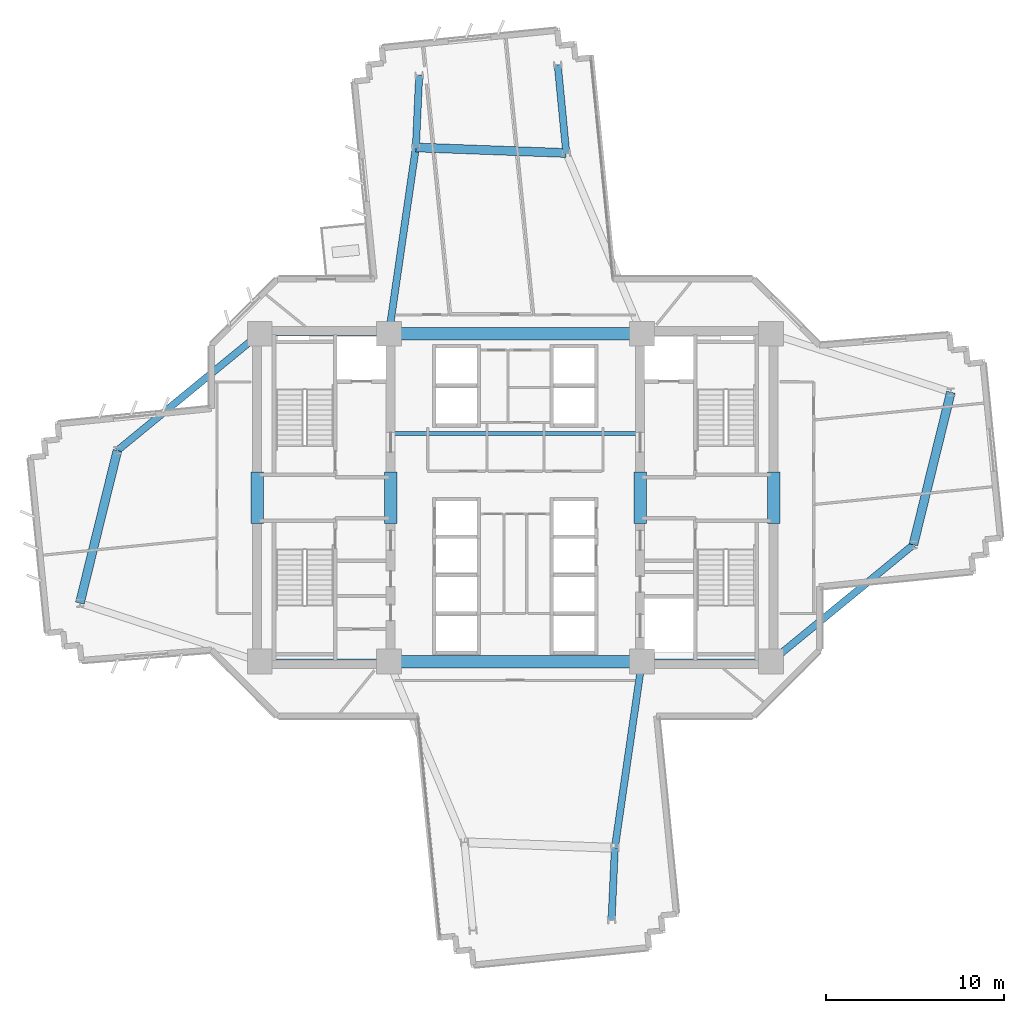
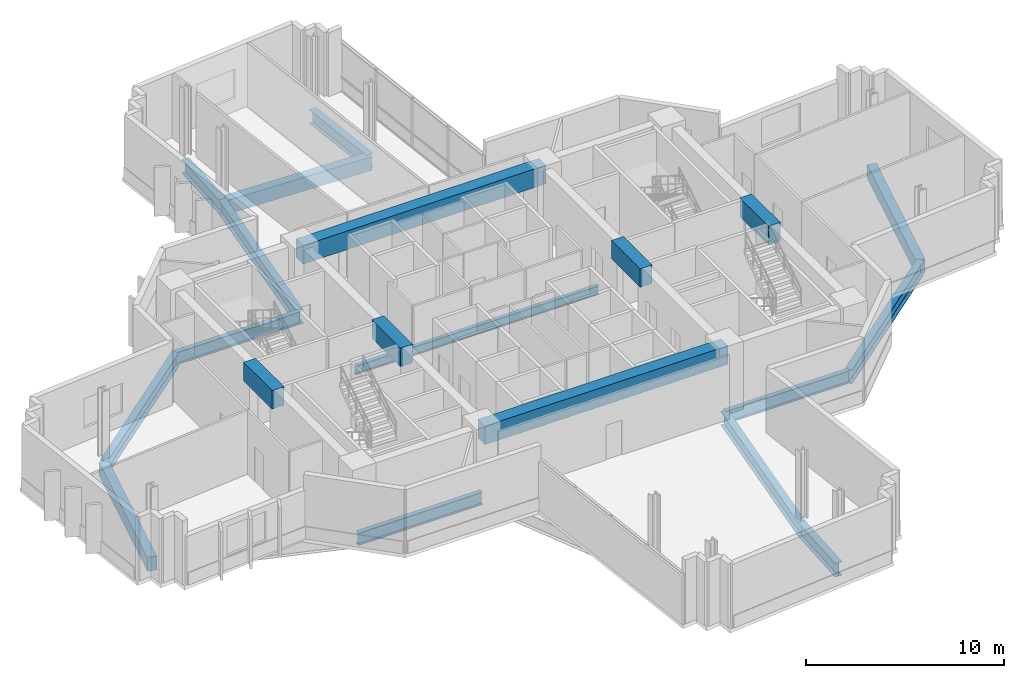
# One storey, part 3 of 14: 20 beams.
"""IFC4 building model written with IfcOpenShell, lengths in metres."""

from ifc_helpers import new_model, si_unit, direction, frame, origin, origin_2d, place, context, subcontext, project, spatial, rectangle, i_section, extrude, source, transform, mapped, material, material_profile, profile_set, type_object, element, save


model = new_model("IFC4")

# Units and contexts
model_context = context("Model", 3, precision=1e-05, world=origin(), true_north=direction((0.0, 1.0)))
body_context = subcontext(model_context, "Body", "Model", "MODEL_VIEW")
ifc_project = project(units=[si_unit("LENGTHUNIT", "METRE"), si_unit("AREAUNIT", "SQUARE_METRE"), si_unit("VOLUMEUNIT", "CUBIC_METRE"), si_unit("PLANEANGLEUNIT", "RADIAN"), si_unit("MASSUNIT", "GRAM", prefix="KILO")], contexts=[model_context])

# Site, building, storey
site_placement = place(None, origin())
site = spatial("IfcSite", under=ifc_project, at=site_placement, CompositionType="ELEMENT")
building_placement = place(site_placement, origin())
building = spatial("IfcBuilding", under=site, at=building_placement, Name="Zahravan Cultural Tower", CompositionType="ELEMENT")
storey_placement = place(building_placement, frame((0.0, 0.0, 100.5)))
storey = spatial("IfcBuildingStorey", under=building, at=storey_placement, Name="L22", CompositionType="ELEMENT", Elevation=100.5)

# Beams
ifc_material_1 = material(Name="Concrete C50/60", Category="concrete")
ifc_material_profile_1 = material_profile(ifc_material_1, rectangle(XDim=0.699951171875, YDim=1.14990234375, at=origin_2d()), Name="RC700X1150")
ifc_profile_set_1 = profile_set([ifc_material_profile_1], Name="Concrete C50/60")
beam_type_1 = type_object("IfcBeamType", Name="BM-LN-RC700X1150", PredefinedType="LINTEL", material=ifc_profile_set_1)
shared_shape_1 = source(origin(), body_context, "Body", "SweptSolid", [
    extrude(rectangle(XDim=0.699951171875, YDim=1.14990234375, at=origin_2d()), origin(), (0.0, 0.0, 1.0), 14.2001953125),
])
for number, where, z_axis, x_axis, name in (
    (1, (28.89990234375, 17.800048828125, 3.375), (1.0, 0.0, 0.0), (0.0, 1.0, 0.0), "L22 Beam LN-L22-S"),
    (2, (28.89990234375, 36.199951171875, 3.375), (1.0, 0.0, 0.0), (0.0, 1.0, 0.0), "L22 Beam LN-L22-N"),
):
    element("IfcBeam", number, at=place(storey_placement, frame(where, z_axis=z_axis, x_axis=x_axis)), inside=storey, type_object=beam_type_1, Name=name, PredefinedType="LINTEL", context=body_context, shape_type="MappedRepresentation", body=[
        mapped(shared_shape_1, transform((0.0, 0.0, 0.0), x_axis=(1.0, 0.0, 0.0), y_axis=(0.0, 1.0, 0.0), z_axis=(0.0, 0.0, 1.0), scale=1.0)),
    ])
shared_shape_2 = source(origin(), body_context, "Body", "SweptSolid", [
    extrude(rectangle(XDim=0.699951171875, YDim=1.14990234375, at=origin_2d()), origin(), (0.0, 0.0, 1.0), 2.89990234375),
])
for number, where, z_axis, x_axis, name in (
    (3, (21.5, 25.550048828125, 3.375), (0.0, 1.0, 0.0), (-1.0, 0.0, 0.0), "L22 Beam LN-L22-PWW"),
    (4, (29.0, 25.550048828125, 3.375), (0.0, 1.0, 0.0), (-1.0, 0.0, 0.0), "L22 Beam LN-L22-PWE"),
    (5, (43.0, 25.550048828125, 3.375), (0.0, 1.0, 0.0), (-1.0, 0.0, 0.0), "L22 Beam LN-L22-PEW"),
    (6, (50.5, 25.550048828125, 3.375), (0.0, 1.0, 0.0), (-1.0, 0.0, 0.0), "L22 Beam LN-L22-PEE"),
):
    element("IfcBeam", number, at=place(storey_placement, frame(where, z_axis=z_axis, x_axis=x_axis)), inside=storey, type_object=beam_type_1, Name=name, PredefinedType="LINTEL", context=body_context, shape_type="MappedRepresentation", body=[
        mapped(shared_shape_2, transform((0.0, 0.0, 0.0), x_axis=(1.0, 0.0, 0.0), y_axis=(0.0, 1.0, 0.0), z_axis=(0.0, 0.0, 1.0), scale=1.0)),
    ])
ifc_material_2 = material(Name="Steel ASTM A992 Grade 50", Category="steel")
ifc_material_profile_2 = material_profile(ifc_material_2, i_section(OverallWidth=0.26611328125, OverallDepth=0.780029296875, WebThickness=0.0166015625, FlangeThickness=0.030029296875, FilletRadius=0.01904296875, at=origin_2d()), Name="W30X148")
ifc_profile_set_2 = profile_set([ifc_material_profile_2], Name="Steel ASTM A992 Grade 50")
beam_type_2 = type_object("IfcBeamType", Name="BM-G-W30X148", PredefinedType="BEAM", material=ifc_profile_set_2)
shared_shape_3 = source(origin(), body_context, "Body", "SweptSolid", [
    extrude(i_section(OverallWidth=0.26611328125, OverallDepth=0.780029296875, WebThickness=0.0166015625, FlangeThickness=0.030029296875, FilletRadius=0.01904296875, at=origin_2d()), origin(), (0.0, 0.0, 1.0), 7.25),
])
for number, where, z_axis, x_axis, name in (
    (7, (21.64990234375, 17.800048828125, -0.639892578125), (1.0, 0.0, 0.0), (0.0, 1.0, 0.0), "L22 Beam BG-L22-01"),
    (8, (21.64990234375, 36.199951171875, -0.639892578125), (1.0, 0.0, 0.0), (0.0, 1.0, 0.0), "L22 Beam BG-L22-02"),
    (9, (43.10009765625, 17.800048828125, -0.639892578125), (1.0, 0.0, 0.0), (0.0, 1.0, 0.0), "L22 Beam BG-L22-04"),
):
    element("IfcBeam", number, at=place(storey_placement, frame(where, z_axis=z_axis, x_axis=x_axis)), inside=storey, type_object=beam_type_2, Name=name, PredefinedType="BEAM", context=body_context, shape_type="MappedRepresentation", body=[
        mapped(shared_shape_3, transform((0.0, 0.0, 0.0), x_axis=(1.0, 0.0, 0.0), y_axis=(0.0, 1.0, 0.0), z_axis=(0.0, 0.0, 1.0), scale=1.0)),
    ])
ifc_material_profile_3 = material_profile(ifc_material_1, rectangle(XDim=0.5, YDim=0.85009765625, at=origin_2d()), Name="RC500X850")
ifc_profile_set_3 = profile_set([ifc_material_profile_3], Name="Concrete C50/60")
beam_type_3 = type_object("IfcBeamType", Name="BM-SP-RC500X850", PredefinedType="SPANDREL", material=ifc_profile_set_3)
shared_shape_4 = source(origin(), body_context, "Body", "SweptSolid", [
    extrude(rectangle(XDim=0.5, YDim=0.85009765625, at=origin_2d()), origin(), (0.0, 0.0, 1.0), 8.4482421875),
])
beam_1_placement = place(storey_placement, frame((38.857421875, 46.346435546875, -0.675048828125), z_axis=(-0.999318826256, 0.036903705643, 0.0), x_axis=(-0.036903705643, -0.999318826256, 0.0)))
element("IfcBeam", 10, at=beam_1_placement, inside=storey, type_object=beam_type_3, Name="L22 Beam SP-L22-21", PredefinedType="SPANDREL", context=body_context, shape_type="MappedRepresentation", body=[
    mapped(shared_shape_4, transform((0.0, 0.0, 0.0), x_axis=(1.0, 0.0, 0.0), y_axis=(0.0, 1.0, 0.0), z_axis=(0.0, 0.0, 1.0), scale=1.0)),
])
shared_shape_5 = source(origin(), body_context, "Body", "SweptSolid", [
    extrude(rectangle(XDim=0.5, YDim=0.85009765625, at=origin_2d()), origin(), (0.0, 0.0, 1.0), 8.8232421875),
])
for number, where, z_axis, x_axis, name in (
    (11, (58.339111328125, 24.351806640625, -0.675048828125), (0.238848860516, 0.971056755206, 0.0), (-0.971056755206, 0.238848860516, 0.0), "L22 Beam SP-L22-20"),
    (12, (13.660888671875, 29.648193359375, -0.675048828125), (-0.238848860516, -0.971056755206, 0.0), (0.971056755206, -0.238848860516, 0.0), "L22 Beam SP-L22-22"),
):
    element("IfcBeam", number, at=place(storey_placement, frame(where, z_axis=z_axis, x_axis=x_axis)), inside=storey, type_object=beam_type_3, Name=name, PredefinedType="SPANDREL", context=body_context, shape_type="MappedRepresentation", body=[
        mapped(shared_shape_5, transform((0.0, 0.0, 0.0), x_axis=(1.0, 0.0, 0.0), y_axis=(0.0, 1.0, 0.0), z_axis=(0.0, 0.0, 1.0), scale=1.0)),
    ])
ifc_material_profile_4 = material_profile(ifc_material_2, i_section(OverallWidth=0.39990234375, OverallDepth=0.862060546875, WebThickness=0.019775390625, FlangeThickness=0.032470703125, FilletRadius=0.02001953125, at=origin_2d()), Name="W33X221")
ifc_profile_set_4 = profile_set([ifc_material_profile_4], Name="Steel ASTM A992 Grade 50")
beam_type_4 = type_object("IfcBeamType", Name="BM-G-W33X221", PredefinedType="BEAM", material=ifc_profile_set_4)
shared_shape_6 = source(origin(), body_context, "Body", "SweptSolid", [
    extrude(i_section(OverallWidth=0.39990234375, OverallDepth=0.862060546875, WebThickness=0.019775390625, FlangeThickness=0.032470703125, FilletRadius=0.02001953125, at=origin_2d()), origin(), (0.0, 0.0, 1.0), 10.5673828125),
])
for number, where, z_axis, x_axis, name in (
    (13, (43.10009765625, 17.800048828125, -0.680908203125), (-0.143377913539, -0.989668011966, 0.0), (0.989668011966, -0.143377913539, 0.0), "L22 Beam BG-L22-09"),
    (14, (28.89990234375, 36.199951171875, -0.680908203125), (0.143377913539, 0.989668011966, 0.0), (-0.989668011966, 0.143377913539, 0.0), "L22 Beam BG-L22-13"),
):
    element("IfcBeam", number, at=place(storey_placement, frame(where, z_axis=z_axis, x_axis=x_axis)), inside=storey, type_object=beam_type_4, Name=name, PredefinedType="BEAM", context=body_context, shape_type="MappedRepresentation", body=[
        mapped(shared_shape_6, transform((0.0, 0.0, 0.0), x_axis=(1.0, 0.0, 0.0), y_axis=(0.0, 1.0, 0.0), z_axis=(0.0, 0.0, 1.0), scale=1.0)),
    ])
shared_shape_7 = source(origin(), body_context, "Body", "SweptSolid", [
    extrude(i_section(OverallWidth=0.39990234375, OverallDepth=0.862060546875, WebThickness=0.019775390625, FlangeThickness=0.032470703125, FilletRadius=0.02001953125, at=origin_2d()), origin(), (0.0, 0.0, 1.0), 10.33203125),
])
for number, where, z_axis, x_axis, name in (
    (15, (50.35009765625, 17.800048828125, -0.680908203125), (0.773231409473, 0.634123952713, 0.0), (-0.634123952713, 0.773231409473, 0.0), "L22 Beam BG-L22-10"),
    (16, (21.64990234375, 36.199951171875, -0.680908203125), (-0.773231409473, -0.634123952713, 0.0), (0.634123952713, -0.773231409473, 0.0), "L22 Beam BG-L22-14"),
):
    element("IfcBeam", number, at=place(storey_placement, frame(where, z_axis=z_axis, x_axis=x_axis)), inside=storey, type_object=beam_type_4, Name=name, PredefinedType="BEAM", context=body_context, shape_type="MappedRepresentation", body=[
        mapped(shared_shape_7, transform((0.0, 0.0, 0.0), x_axis=(1.0, 0.0, 0.0), y_axis=(0.0, 1.0, 0.0), z_axis=(0.0, 0.0, 1.0), scale=1.0)),
    ])
shared_shape_8 = source(origin(), body_context, "Body", "SweptSolid", [
    extrude(i_section(OverallWidth=0.39990234375, OverallDepth=0.862060546875, WebThickness=0.019775390625, FlangeThickness=0.032470703125, FilletRadius=0.02001953125, at=origin_2d()), origin(), (0.0, 0.0, 1.0), 4.973876953125),
])
beam_2_placement = place(storey_placement, frame((38.857421875, 46.346435546875, -0.680908203125), z_axis=(-0.096154779131, 0.995366394073, 0.0), x_axis=(-0.995366394073, -0.096154779131, 0.0)))
element("IfcBeam", 17, at=beam_2_placement, inside=storey, type_object=beam_type_4, Name="L22 Beam BG-L22-15", PredefinedType="BEAM", context=body_context, shape_type="MappedRepresentation", body=[
    mapped(shared_shape_8, transform((0.0, 0.0, 0.0), x_axis=(1.0, 0.0, 0.0), y_axis=(0.0, 1.0, 0.0), z_axis=(0.0, 0.0, 1.0), scale=1.0)),
])
shared_shape_9 = source(origin(), body_context, "Body", "SweptSolid", [
    extrude(i_section(OverallWidth=0.39990234375, OverallDepth=0.862060546875, WebThickness=0.019775390625, FlangeThickness=0.032470703125, FilletRadius=0.02001953125, at=origin_2d()), origin(), (0.0, 0.0, 1.0), 4.0537109375),
])
for number, where, z_axis, x_axis, name in (
    (18, (30.4150390625, 46.658203125, -0.680908203125), (0.045770994677, 0.998951958828, 0.0), (-0.998951958828, 0.045770994677, 0.0), "L22 Beam BG-L22-16"),
    (19, (41.5849609375, 7.341796875, -0.680908203125), (-0.045770994677, -0.998951958828, 0.0), (0.998951958828, -0.045770994677, 0.0), "L22 Beam BG-L22-18"),
):
    element("IfcBeam", number, at=place(storey_placement, frame(where, z_axis=z_axis, x_axis=x_axis)), inside=storey, type_object=beam_type_4, Name=name, PredefinedType="BEAM", context=body_context, shape_type="MappedRepresentation", body=[
        mapped(shared_shape_9, transform((0.0, 0.0, 0.0), x_axis=(1.0, 0.0, 0.0), y_axis=(0.0, 1.0, 0.0), z_axis=(0.0, 0.0, 1.0), scale=1.0)),
    ])
ifc_material_profile_5 = material_profile(ifc_material_2, i_section(OverallWidth=0.214111328125, OverallDepth=0.549072265625, WebThickness=0.0146484375, FlangeThickness=0.023681640625, FilletRadius=0.013916015625, at=origin_2d()), Name="W21X93")
ifc_profile_set_5 = profile_set([ifc_material_profile_5], Name="Steel ASTM A992 Grade 50")
beam_type_5 = type_object("IfcBeamType", Name="BM-J-W21X93", PredefinedType="JOIST", material=ifc_profile_set_5)
shared_shape_10 = source(origin(), body_context, "Body", "SweptSolid", [
    extrude(i_section(OverallWidth=0.214111328125, OverallDepth=0.549072265625, WebThickness=0.0146484375, FlangeThickness=0.023681640625, FilletRadius=0.013916015625, at=origin_2d()), origin(), (0.0, 0.0, 1.0), 14.2001953125),
])
beam_3_placement = place(storey_placement, frame((28.89990234375, 30.60009765625, -0.5244140625), z_axis=(1.0, 0.0, 0.0), x_axis=(0.0, 1.0, 0.0)))
element("IfcBeam", 20, at=beam_3_placement, inside=storey, type_object=beam_type_5, Name="L22 Beam BJ-L22-23", PredefinedType="JOIST", context=body_context, shape_type="MappedRepresentation", body=[
    mapped(shared_shape_10, transform((0.0, 0.0, 0.0), x_axis=(1.0, 0.0, 0.0), y_axis=(0.0, 1.0, 0.0), z_axis=(0.0, 0.0, 1.0), scale=1.0)),
])

save(model, "model.ifc")
